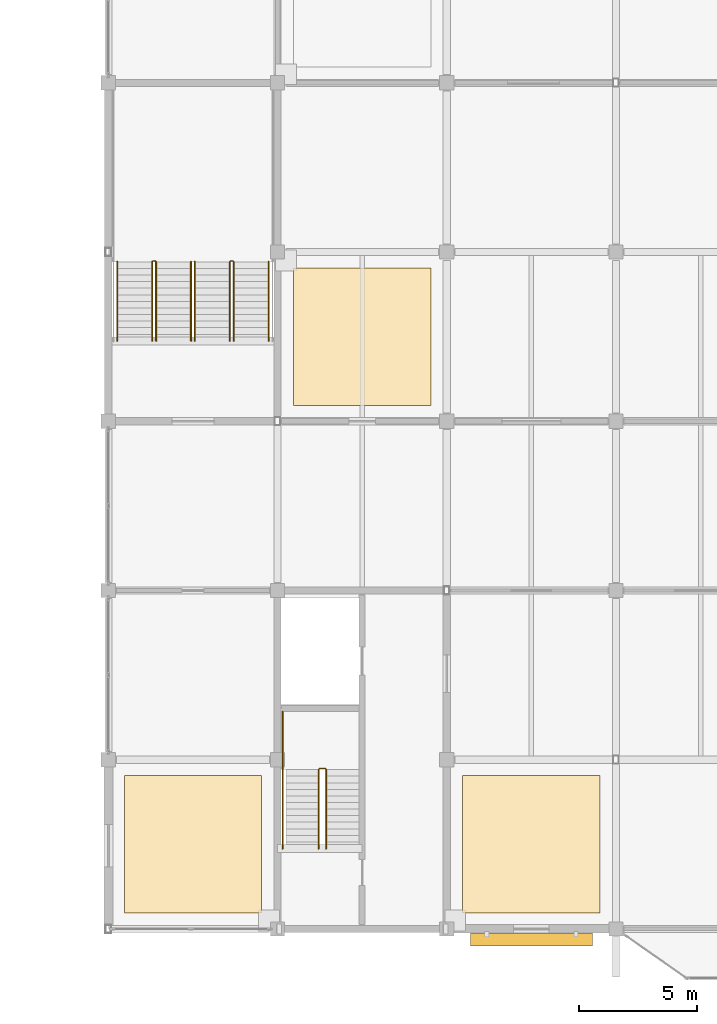
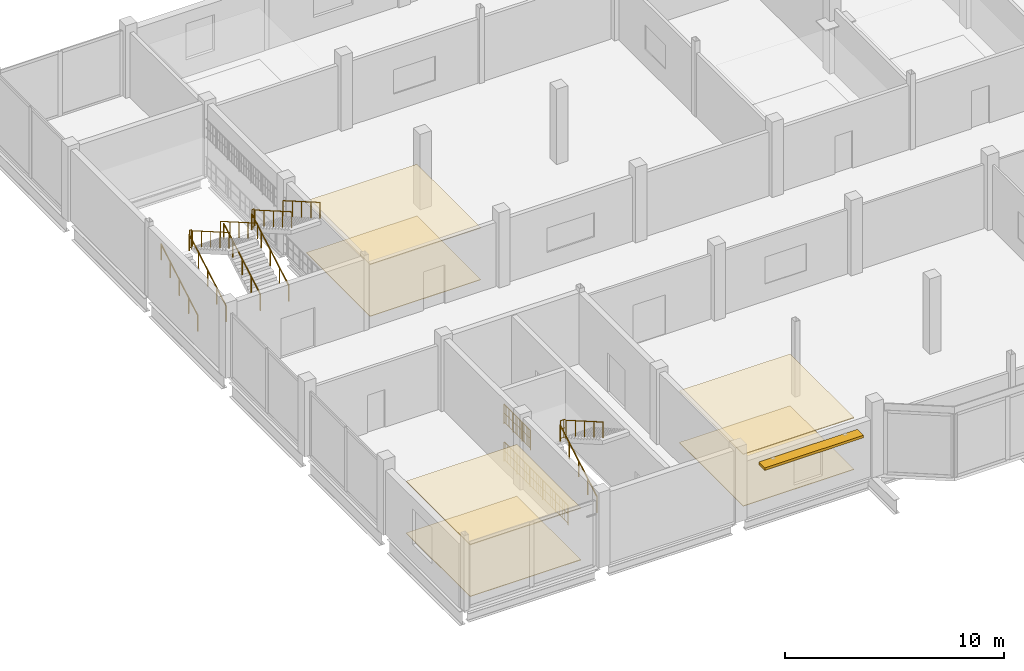
# One storey, part 42 of 51: 15 railings, 6 coverings, 1 shading device.
"""IFC4 building model written with IfcOpenShell, lengths in metres."""

from ifc_helpers import new_model, si_unit, direction, frame, origin, origin_2d, place, context, subcontext, project, spatial, polyline, rectangle, circle, outline, extrude, material, layer, layer_set, type_object, element, save


model = new_model("IFC4")

# Units and contexts
model_context = context("Model", 3, precision=1e-05, world=origin(), true_north=direction((0.0, 1.0)))
body_context = subcontext(model_context, "Body", "Model", "MODEL_VIEW")
ifc_project = project(units=[si_unit("LENGTHUNIT", "METRE"), si_unit("AREAUNIT", "SQUARE_METRE"), si_unit("VOLUMEUNIT", "CUBIC_METRE"), si_unit("PLANEANGLEUNIT", "RADIAN"), si_unit("MASSUNIT", "GRAM", prefix="KILO")], contexts=[model_context])

# Site, building, storey
site_placement = place(None, origin())
site = spatial("IfcSite", under=ifc_project, at=site_placement, CompositionType="ELEMENT")
building_placement = place(site_placement, origin())
building = spatial("IfcBuilding", under=site, at=building_placement, Name="Vesperath Aquatics Centre", CompositionType="ELEMENT")
storey_placement = place(building_placement, frame((0.0, 0.0, 15.0)))
storey = spatial("IfcBuildingStorey", under=building, at=storey_placement, Name="L03", CompositionType="ELEMENT", Elevation=15.0)

# Coverings
ifc_material_1 = material(Name="Perforated moisture-resistant acoustic mineral-fibre ceiling", Category="gypsum")
ifc_layer_1 = layer(ifc_material_1, 0.044921875)
ifc_layer_set_1 = layer_set([ifc_layer_1], Name="Perforated moisture-resistant acoustic mineral-fibre ceiling")
covering_type_1 = type_object("IfcCoveringType", Name="CV-CLG01", PredefinedType="CEILING", material=ifc_layer_set_1)
covering_1_placement = place(storey_placement, frame((0.0, 0.0, 2.875)))
element("IfcCovering", 1, at=covering_1_placement, inside=storey, type_object=covering_type_1, Name="Acoustic Suspended Ceiling CLG1 L03_AEROBIC", PredefinedType="CEILING", context=body_context, shape_type="SweptSolid", body=[
    extrude(outline(polyline([(115.8798828125, 0.679931640625), (121.719970703125, 0.679931640625), (121.719970703125, 6.52001953125), (115.8798828125, 6.52001953125), (115.8798828125, 0.679931640625)])), origin(), (0.0, 0.0, 1.0), 0.044921875),
])
covering_2_placement = place(storey_placement, frame((0.0, 0.0, 2.875)))
element("IfcCovering", 2, at=covering_2_placement, inside=storey, type_object=covering_type_1, Name="Acoustic Suspended Ceiling CLG1 L03_YOGA", PredefinedType="CEILING", context=body_context, shape_type="SweptSolid", body=[
    extrude(outline(polyline([(130.280029296875, 0.679931640625), (136.1201171875, 0.679931640625), (136.1201171875, 6.52001953125), (130.280029296875, 6.52001953125), (130.280029296875, 0.679931640625)])), origin(), (0.0, 0.0, 1.0), 0.044921875),
])
covering_3_placement = place(storey_placement, frame((0.0, 0.0, 2.875)))
element("IfcCovering", 3, at=covering_3_placement, inside=storey, type_object=covering_type_1, Name="Acoustic Suspended Ceiling CLG1 L03_BIOMECH", PredefinedType="CEILING", context=body_context, shape_type="SweptSolid", body=[
    extrude(outline(polyline([(123.080078125, 22.280029296875), (128.919921875, 22.280029296875), (128.919921875, 28.1201171875), (123.080078125, 28.1201171875), (123.080078125, 22.280029296875)])), origin(), (0.0, 0.0, 1.0), 0.044921875),
])
ifc_material_2 = material(Name="Slip-resistant vitrified ceramic and terrazzo flooring", Category="ceramic")
ifc_layer_2 = layer(ifc_material_2, 0.030029296875)
ifc_layer_set_2 = layer_set([ifc_layer_2], Name="Slip-resistant vitrified ceramic and terrazzo flooring")
covering_type_2 = type_object("IfcCoveringType", Name="CV-FLR01", PredefinedType="FLOORING", material=ifc_layer_set_2)
covering_4_placement = place(storey_placement, origin())
element("IfcCovering", 4, at=covering_4_placement, inside=storey, type_object=covering_type_2, Name="Slip-Resistant Floor Finish FLR1 L03_AEROBIC", PredefinedType="FLOORING", context=body_context, shape_type="SweptSolid", body=[
    extrude(outline(polyline([(115.8798828125, 0.679931640625), (121.719970703125, 0.679931640625), (121.719970703125, 6.52001953125), (115.8798828125, 6.52001953125), (115.8798828125, 0.679931640625)])), origin(), (0.0, 0.0, 1.0), 0.030029296875),
])
covering_5_placement = place(storey_placement, origin())
element("IfcCovering", 5, at=covering_5_placement, inside=storey, type_object=covering_type_2, Name="Slip-Resistant Floor Finish FLR1 L03_YOGA", PredefinedType="FLOORING", context=body_context, shape_type="SweptSolid", body=[
    extrude(outline(polyline([(130.280029296875, 0.679931640625), (136.1201171875, 0.679931640625), (136.1201171875, 6.52001953125), (130.280029296875, 6.52001953125), (130.280029296875, 0.679931640625)])), origin(), (0.0, 0.0, 1.0), 0.030029296875),
])
covering_6_placement = place(storey_placement, origin())
element("IfcCovering", 6, at=covering_6_placement, inside=storey, type_object=covering_type_2, Name="Slip-Resistant Floor Finish FLR1 L03_BIOMECH", PredefinedType="FLOORING", context=body_context, shape_type="SweptSolid", body=[
    extrude(outline(polyline([(123.080078125, 22.280029296875), (128.919921875, 22.280029296875), (128.919921875, 28.1201171875), (123.080078125, 28.1201171875), (123.080078125, 22.280029296875)])), origin(), (0.0, 0.0, 1.0), 0.030029296875),
])

# Railings
ifc_material_3 = material(Name="Powder-coated galvanized steel safety guard", Category="steel")
railing_type_1 = type_object("IfcRailingType", Name="RL-GRD01", PredefinedType="GUARDRAIL", material=ifc_material_3)
railing_1_placement = place(storey_placement, frame((124.179931640625, 6.820068359375, 2.10009765625)))
element("IfcRailing", 7, at=railing_1_placement, inside=storey, type_object=railing_type_1, Name="Stair ST5 Half-Landing Slot Guard GR02 L03", PredefinedType="GUARDRAIL", context=body_context, shape_type="SweptSolid", body=[
    extrude(circle(Radius=0.02392578125, at=origin_2d()), frame((0.0, 0.0, 1.0859375), z_axis=(1.0, 0.0, 0.0), x_axis=(0.0, 1.0, 0.0)), (0.0, 0.0, 1.0), 0.260009765625),
    extrude(circle(Radius=0.01611328125, at=origin_2d()), frame((0.0, 0.0, 0.10009765625), z_axis=(1.0, 0.0, 0.0), x_axis=(0.0, 1.0, 0.0)), (0.0, 0.0, 1.0), 0.260009765625),
    extrude(circle(Radius=0.01611328125, at=origin_2d()), frame((0.0, 0.0, 0.610595703125), z_axis=(1.0, 0.0, 0.0), x_axis=(0.0, 1.0, 0.0)), (0.0, 0.0, 1.0), 0.260009765625),
    extrude(circle(Radius=0.009033203125, at=origin_2d()), frame((0.086669921875, 0.0, 0.10009765625)), (0.0, 0.0, 1.0), 0.9619140625),
    extrude(circle(Radius=0.009033203125, at=origin_2d()), frame((0.17333984375, 0.0, 0.10009765625)), (0.0, 0.0, 1.0), 0.9619140625),
    extrude(circle(Radius=0.02197265625, at=origin_2d()), origin(), (0.0, 0.0, 1.0), 1.0859375),
    extrude(circle(Radius=0.02197265625, at=origin_2d()), frame((0.260009765625, 0.0, 0.0)), (0.0, 0.0, 1.0), 1.0859375),
])
railing_2_placement = place(storey_placement, frame((122.6201171875, 6.820068359375, 2.10009765625)))
element("IfcRailing", 8, at=railing_2_placement, inside=storey, type_object=railing_type_1, Name="Stair ST5 Half-Landing Wall Guard GR02 L03", PredefinedType="GUARDRAIL", context=body_context, shape_type="SweptSolid", body=[
    extrude(circle(Radius=0.02392578125, at=origin_2d()), frame((0.0, 0.0, 1.0859375), z_axis=(0.0, 1.0, 0.0), x_axis=(-1.0, 0.0, 0.0)), (0.0, 0.0, 1.0), 2.43994140625),
    extrude(circle(Radius=0.01611328125, at=origin_2d()), frame((0.0, 0.0, 0.10009765625), z_axis=(0.0, 1.0, 0.0), x_axis=(-1.0, 0.0, 0.0)), (0.0, 0.0, 1.0), 2.43994140625),
    extrude(circle(Radius=0.01611328125, at=origin_2d()), frame((0.0, 0.0, 0.610595703125), z_axis=(0.0, 1.0, 0.0), x_axis=(-1.0, 0.0, 0.0)), (0.0, 0.0, 1.0), 2.43994140625),
    extrude(circle(Radius=0.009033203125, at=origin_2d()), frame((0.0, 0.106201171875, 0.10009765625)), (0.0, 0.0, 1.0), 0.9619140625),
    extrude(circle(Radius=0.009033203125, at=origin_2d()), frame((0.0, 0.212158203125, 0.10009765625)), (0.0, 0.0, 1.0), 0.9619140625),
    extrude(circle(Radius=0.009033203125, at=origin_2d()), frame((0.0, 0.318359375, 0.10009765625)), (0.0, 0.0, 1.0), 0.9619140625),
    extrude(circle(Radius=0.009033203125, at=origin_2d()), frame((0.0, 0.42431640625, 0.10009765625)), (0.0, 0.0, 1.0), 0.9619140625),
    extrude(circle(Radius=0.009033203125, at=origin_2d()), frame((0.0, 0.530517578125, 0.10009765625)), (0.0, 0.0, 1.0), 0.9619140625),
    extrude(circle(Radius=0.009033203125, at=origin_2d()), frame((0.0, 0.636474609375, 0.10009765625)), (0.0, 0.0, 1.0), 0.9619140625),
    extrude(circle(Radius=0.009033203125, at=origin_2d()), frame((0.0, 0.74267578125, 0.10009765625)), (0.0, 0.0, 1.0), 0.9619140625),
    extrude(circle(Radius=0.009033203125, at=origin_2d()), frame((0.0, 0.8486328125, 0.10009765625)), (0.0, 0.0, 1.0), 0.9619140625),
    extrude(circle(Radius=0.009033203125, at=origin_2d()), frame((0.0, 0.954833984375, 0.10009765625)), (0.0, 0.0, 1.0), 0.9619140625),
    extrude(circle(Radius=0.009033203125, at=origin_2d()), frame((0.0, 1.060791015625, 0.10009765625)), (0.0, 0.0, 1.0), 0.9619140625),
    extrude(circle(Radius=0.009033203125, at=origin_2d()), frame((0.0, 1.1669921875, 0.10009765625)), (0.0, 0.0, 1.0), 0.9619140625),
    extrude(circle(Radius=0.009033203125, at=origin_2d()), frame((0.0, 1.27294921875, 0.10009765625)), (0.0, 0.0, 1.0), 0.9619140625),
    extrude(circle(Radius=0.009033203125, at=origin_2d()), frame((0.0, 1.379150390625, 0.10009765625)), (0.0, 0.0, 1.0), 0.9619140625),
    extrude(circle(Radius=0.009033203125, at=origin_2d()), frame((0.0, 1.485107421875, 0.10009765625)), (0.0, 0.0, 1.0), 0.9619140625),
    extrude(circle(Radius=0.009033203125, at=origin_2d()), frame((0.0, 1.59130859375, 0.10009765625)), (0.0, 0.0, 1.0), 0.9619140625),
    extrude(circle(Radius=0.009033203125, at=origin_2d()), frame((0.0, 1.697265625, 0.10009765625)), (0.0, 0.0, 1.0), 0.9619140625),
    extrude(circle(Radius=0.009033203125, at=origin_2d()), frame((0.0, 1.803466796875, 0.10009765625)), (0.0, 0.0, 1.0), 0.9619140625),
    extrude(circle(Radius=0.009033203125, at=origin_2d()), frame((0.0, 1.909423828125, 0.10009765625)), (0.0, 0.0, 1.0), 0.9619140625),
    extrude(circle(Radius=0.009033203125, at=origin_2d()), frame((0.0, 2.015625, 0.10009765625)), (0.0, 0.0, 1.0), 0.9619140625),
    extrude(circle(Radius=0.009033203125, at=origin_2d()), frame((0.0, 2.12158203125, 0.10009765625)), (0.0, 0.0, 1.0), 0.9619140625),
    extrude(circle(Radius=0.009033203125, at=origin_2d()), frame((0.0, 2.227783203125, 0.10009765625)), (0.0, 0.0, 1.0), 0.9619140625),
    extrude(circle(Radius=0.009033203125, at=origin_2d()), frame((0.0, 2.333740234375, 0.10009765625)), (0.0, 0.0, 1.0), 0.9619140625),
    extrude(circle(Radius=0.02197265625, at=origin_2d()), origin(), (0.0, 0.0, 1.0), 1.0859375),
    extrude(circle(Radius=0.02197265625, at=origin_2d()), frame((0.0, 0.813232421875, 0.0)), (0.0, 0.0, 1.0), 1.0859375),
    extrude(circle(Radius=0.02197265625, at=origin_2d()), frame((0.0, 1.626708984375, 0.0)), (0.0, 0.0, 1.0), 1.0859375),
    extrude(circle(Radius=0.02197265625, at=origin_2d()), frame((0.0, 2.43994140625, 0.0)), (0.0, 0.0, 1.0), 1.0859375),
])
railing_3_placement = place(storey_placement, frame((122.6201171875, 3.39990234375, 0.0)))
element("IfcRailing", 9, at=railing_3_placement, inside=storey, type_object=railing_type_1, Name="Stair ST5 Shaft Side Guard GR02 L03", PredefinedType="GUARDRAIL", context=body_context, shape_type="SweptSolid", body=[
    extrude(circle(Radius=0.02392578125, at=origin_2d()), frame((0.0, 0.0, 1.0859375), z_axis=(0.0, 1.0, 0.0), x_axis=(-1.0, 0.0, 0.0)), (0.0, 0.0, 1.0), 5.840087890625),
    extrude(circle(Radius=0.01611328125, at=origin_2d()), frame((0.0, 0.0, 0.10009765625), z_axis=(0.0, 1.0, 0.0), x_axis=(-1.0, 0.0, 0.0)), (0.0, 0.0, 1.0), 5.840087890625),
    extrude(circle(Radius=0.01611328125, at=origin_2d()), frame((0.0, 0.0, 0.610595703125), z_axis=(0.0, 1.0, 0.0), x_axis=(-1.0, 0.0, 0.0)), (0.0, 0.0, 1.0), 5.840087890625),
    extrude(circle(Radius=0.009033203125, at=origin_2d()), frame((0.0, 0.108154296875, 0.10009765625)), (0.0, 0.0, 1.0), 0.9619140625),
    extrude(circle(Radius=0.009033203125, at=origin_2d()), frame((0.0, 0.324462890625, 0.10009765625)), (0.0, 0.0, 1.0), 0.9619140625),
    extrude(circle(Radius=0.009033203125, at=origin_2d()), frame((0.0, 0.540771484375, 0.10009765625)), (0.0, 0.0, 1.0), 0.9619140625),
    extrude(circle(Radius=0.009033203125, at=origin_2d()), frame((0.0, 0.757080078125, 0.10009765625)), (0.0, 0.0, 1.0), 0.9619140625),
    extrude(circle(Radius=0.009033203125, at=origin_2d()), frame((0.0, 0.973388671875, 0.10009765625)), (0.0, 0.0, 1.0), 0.9619140625),
    extrude(circle(Radius=0.009033203125, at=origin_2d()), frame((0.0, 1.189697265625, 0.10009765625)), (0.0, 0.0, 1.0), 0.9619140625),
    extrude(circle(Radius=0.009033203125, at=origin_2d()), frame((0.0, 1.406005859375, 0.10009765625)), (0.0, 0.0, 1.0), 0.9619140625),
    extrude(circle(Radius=0.009033203125, at=origin_2d()), frame((0.0, 1.622314453125, 0.10009765625)), (0.0, 0.0, 1.0), 0.9619140625),
    extrude(circle(Radius=0.009033203125, at=origin_2d()), frame((0.0, 1.838623046875, 0.10009765625)), (0.0, 0.0, 1.0), 0.9619140625),
    extrude(circle(Radius=0.009033203125, at=origin_2d()), frame((0.0, 2.054931640625, 0.10009765625)), (0.0, 0.0, 1.0), 0.9619140625),
    extrude(circle(Radius=0.009033203125, at=origin_2d()), frame((0.0, 2.271240234375, 0.10009765625)), (0.0, 0.0, 1.0), 0.9619140625),
    extrude(circle(Radius=0.009033203125, at=origin_2d()), frame((0.0, 2.487548828125, 0.10009765625)), (0.0, 0.0, 1.0), 0.9619140625),
    extrude(circle(Radius=0.009033203125, at=origin_2d()), frame((0.0, 2.703857421875, 0.10009765625)), (0.0, 0.0, 1.0), 0.9619140625),
    extrude(circle(Radius=0.009033203125, at=origin_2d()), frame((0.0, 2.919921875, 0.10009765625)), (0.0, 0.0, 1.0), 0.9619140625),
    extrude(circle(Radius=0.009033203125, at=origin_2d()), frame((0.0, 3.13623046875, 0.10009765625)), (0.0, 0.0, 1.0), 0.9619140625),
    extrude(circle(Radius=0.009033203125, at=origin_2d()), frame((0.0, 3.3525390625, 0.10009765625)), (0.0, 0.0, 1.0), 0.9619140625),
    extrude(circle(Radius=0.009033203125, at=origin_2d()), frame((0.0, 3.56884765625, 0.10009765625)), (0.0, 0.0, 1.0), 0.9619140625),
    extrude(circle(Radius=0.009033203125, at=origin_2d()), frame((0.0, 3.78515625, 0.10009765625)), (0.0, 0.0, 1.0), 0.9619140625),
    extrude(circle(Radius=0.009033203125, at=origin_2d()), frame((0.0, 4.00146484375, 0.10009765625)), (0.0, 0.0, 1.0), 0.9619140625),
    extrude(circle(Radius=0.009033203125, at=origin_2d()), frame((0.0, 4.2177734375, 0.10009765625)), (0.0, 0.0, 1.0), 0.9619140625),
    extrude(circle(Radius=0.009033203125, at=origin_2d()), frame((0.0, 4.43408203125, 0.10009765625)), (0.0, 0.0, 1.0), 0.9619140625),
    extrude(circle(Radius=0.009033203125, at=origin_2d()), frame((0.0, 4.650390625, 0.10009765625)), (0.0, 0.0, 1.0), 0.9619140625),
    extrude(circle(Radius=0.009033203125, at=origin_2d()), frame((0.0, 4.86669921875, 0.10009765625)), (0.0, 0.0, 1.0), 0.9619140625),
    extrude(circle(Radius=0.009033203125, at=origin_2d()), frame((0.0, 5.0830078125, 0.10009765625)), (0.0, 0.0, 1.0), 0.9619140625),
    extrude(circle(Radius=0.009033203125, at=origin_2d()), frame((0.0, 5.29931640625, 0.10009765625)), (0.0, 0.0, 1.0), 0.9619140625),
    extrude(circle(Radius=0.009033203125, at=origin_2d()), frame((0.0, 5.515625, 0.10009765625)), (0.0, 0.0, 1.0), 0.9619140625),
    extrude(circle(Radius=0.009033203125, at=origin_2d()), frame((0.0, 5.73193359375, 0.10009765625)), (0.0, 0.0, 1.0), 0.9619140625),
    extrude(circle(Radius=0.02197265625, at=origin_2d()), origin(), (0.0, 0.0, 1.0), 1.0859375),
    extrude(circle(Radius=0.02197265625, at=origin_2d()), frame((0.0, 1.16796875, 0.0)), (0.0, 0.0, 1.0), 1.0859375),
    extrude(circle(Radius=0.02197265625, at=origin_2d()), frame((0.0, 2.3359375, 0.0)), (0.0, 0.0, 1.0), 1.0859375),
    extrude(circle(Radius=0.02197265625, at=origin_2d()), frame((0.0, 3.504150390625, 0.0)), (0.0, 0.0, 1.0), 1.0859375),
    extrude(circle(Radius=0.02197265625, at=origin_2d()), frame((0.0, 4.672119140625, 0.0)), (0.0, 0.0, 1.0), 1.0859375),
    extrude(circle(Radius=0.02197265625, at=origin_2d()), frame((0.0, 5.840087890625, 0.0)), (0.0, 0.0, 1.0), 1.0859375),
])
railing_4_placement = place(storey_placement, frame((117.10009765625, 28.419921875, 2.10009765625)))
element("IfcRailing", 10, at=railing_4_placement, inside=storey, type_object=railing_type_1, Name="Stair ST7A Half-Landing Slot Guard GR02 L03", PredefinedType="GUARDRAIL", context=body_context, shape_type="SweptSolid", body=[
    extrude(circle(Radius=0.02392578125, at=origin_2d()), frame((0.0, 0.0, 1.0859375), z_axis=(1.0, 0.0, 0.0), x_axis=(0.0, 1.0, 0.0)), (0.0, 0.0, 1.0), 0.099853515625),
    extrude(circle(Radius=0.01611328125, at=origin_2d()), frame((0.0, 0.0, 0.10009765625), z_axis=(1.0, 0.0, 0.0), x_axis=(0.0, 1.0, 0.0)), (0.0, 0.0, 1.0), 0.099853515625),
    extrude(circle(Radius=0.01611328125, at=origin_2d()), frame((0.0, 0.0, 0.610595703125), z_axis=(1.0, 0.0, 0.0), x_axis=(0.0, 1.0, 0.0)), (0.0, 0.0, 1.0), 0.099853515625),
    extrude(circle(Radius=0.009033203125, at=origin_2d()), frame((0.0498046875, 0.0, 0.10009765625)), (0.0, 0.0, 1.0), 0.9619140625),
    extrude(circle(Radius=0.02197265625, at=origin_2d()), origin(), (0.0, 0.0, 1.0), 1.0859375),
    extrude(circle(Radius=0.02197265625, at=origin_2d()), frame((0.099853515625, 0.0, 0.0)), (0.0, 0.0, 1.0), 1.0859375),
])
railing_5_placement = place(storey_placement, frame((120.39990234375, 28.419921875, 2.10009765625)))
element("IfcRailing", 11, at=railing_5_placement, inside=storey, type_object=railing_type_1, Name="Stair ST7B Half-Landing Slot Guard GR02 L03", PredefinedType="GUARDRAIL", context=body_context, shape_type="SweptSolid", body=[
    extrude(circle(Radius=0.02392578125, at=origin_2d()), frame((0.0, 0.0, 1.0859375), z_axis=(1.0, 0.0, 0.0), x_axis=(0.0, 1.0, 0.0)), (0.0, 0.0, 1.0), 0.10009765625),
    extrude(circle(Radius=0.01611328125, at=origin_2d()), frame((0.0, 0.0, 0.10009765625), z_axis=(1.0, 0.0, 0.0), x_axis=(0.0, 1.0, 0.0)), (0.0, 0.0, 1.0), 0.10009765625),
    extrude(circle(Radius=0.01611328125, at=origin_2d()), frame((0.0, 0.0, 0.610595703125), z_axis=(1.0, 0.0, 0.0), x_axis=(0.0, 1.0, 0.0)), (0.0, 0.0, 1.0), 0.10009765625),
    extrude(circle(Radius=0.009033203125, at=origin_2d()), frame((0.050048828125, 0.0, 0.10009765625)), (0.0, 0.0, 1.0), 0.9619140625),
    extrude(circle(Radius=0.02197265625, at=origin_2d()), origin(), (0.0, 0.0, 1.0), 1.0859375),
    extrude(circle(Radius=0.02197265625, at=origin_2d()), frame((0.10009765625, 0.0, 0.0)), (0.0, 0.0, 1.0), 1.0859375),
])
ifc_material_4 = material(Name="Brushed stainless steel tubular handrail", Category="steel")
railing_type_2 = type_object("IfcRailingType", Name="RL-HND01", PredefinedType="HANDRAIL", material=ifc_material_4)
railing_6_placement = place(storey_placement, frame((124.14990234375, 3.419921875, 0.16162109375)))
element("IfcRailing", 12, at=railing_6_placement, inside=storey, type_object=railing_type_2, Name="Stair ST5 Flight 1 Handrail HR01 L03", PredefinedType="HANDRAIL", context=body_context, shape_type="SweptSolid", body=[
    extrude(circle(Radius=0.02392578125, at=origin_2d()), frame((0.0, 0.0, 0.8759765625), z_axis=(0.0, 0.866190824863, 0.499713372768), x_axis=(-1.0, 0.0, 0.0)), (0.0, 0.0, 1.0), 3.879150390625),
    extrude(circle(Radius=0.02197265625, at=origin_2d()), origin(), (0.0, 0.0, 1.0), 0.8759765625),
    extrude(circle(Radius=0.02197265625, at=origin_2d()), frame((0.0, 0.840087890625, 0.484619140625)), (0.0, 0.0, 1.0), 0.8759765625),
    extrude(circle(Radius=0.02197265625, at=origin_2d()), frame((0.0, 1.68017578125, 0.96923828125)), (0.0, 0.0, 1.0), 0.8759765625),
    extrude(circle(Radius=0.02197265625, at=origin_2d()), frame((0.0, 2.52001953125, 1.453857421875)), (0.0, 0.0, 1.0), 0.8759765625),
    extrude(circle(Radius=0.02197265625, at=origin_2d()), frame((0.0, 3.360107421875, 1.9384765625)), (0.0, 0.0, 1.0), 0.8759765625),
])
railing_7_placement = place(storey_placement, frame((124.469970703125, 6.780029296875, 2.261474609375)))
element("IfcRailing", 13, at=railing_7_placement, inside=storey, type_object=railing_type_2, Name="Stair ST5 Flight 2 Handrail HR01 L03", PredefinedType="HANDRAIL", context=body_context, shape_type="SweptSolid", body=[
    extrude(circle(Radius=0.02392578125, at=origin_2d()), frame((0.0, 0.0, 0.8759765625), z_axis=(0.0, -0.866190824863, 0.499713372768), x_axis=(1.0, 0.0, 0.0)), (0.0, 0.0, 1.0), 3.879150390625),
    extrude(circle(Radius=0.02197265625, at=origin_2d()), origin(), (0.0, 0.0, 1.0), 0.8759765625),
    extrude(circle(Radius=0.02197265625, at=origin_2d()), frame((0.0, -0.840087890625, 0.484619140625)), (0.0, 0.0, 1.0), 0.8759765625),
    extrude(circle(Radius=0.02197265625, at=origin_2d()), frame((0.0, -1.68017578125, 0.96923828125)), (0.0, 0.0, 1.0), 0.8759765625),
    extrude(circle(Radius=0.02197265625, at=origin_2d()), frame((0.0, -2.52001953125, 1.453857421875)), (0.0, 0.0, 1.0), 0.8759765625),
    extrude(circle(Radius=0.02197265625, at=origin_2d()), frame((0.0, -3.360107421875, 1.9384765625)), (0.0, 0.0, 1.0), 0.8759765625),
])
railing_8_placement = place(storey_placement, frame((117.070068359375, 25.02001953125, 0.16162109375)))
element("IfcRailing", 14, at=railing_8_placement, inside=storey, type_object=railing_type_2, Name="Stair ST7A Flight 1 Handrail HR01 L03", PredefinedType="HANDRAIL", context=body_context, shape_type="SweptSolid", body=[
    extrude(circle(Radius=0.02392578125, at=origin_2d()), frame((0.0, 0.0, 0.8759765625), z_axis=(0.0, 0.866175107563, 0.499740615757), x_axis=(-1.0, 0.0, 0.0)), (0.0, 0.0, 1.0), 3.87890625),
    extrude(circle(Radius=0.02197265625, at=origin_2d()), origin(), (0.0, 0.0, 1.0), 0.8759765625),
    extrude(circle(Radius=0.02197265625, at=origin_2d()), frame((0.0, 0.83984375, 0.484619140625)), (0.0, 0.0, 1.0), 0.8759765625),
    extrude(circle(Radius=0.02197265625, at=origin_2d()), frame((0.0, 1.679931640625, 0.96923828125)), (0.0, 0.0, 1.0), 0.8759765625),
    extrude(circle(Radius=0.02197265625, at=origin_2d()), frame((0.0, 2.52001953125, 1.453857421875)), (0.0, 0.0, 1.0), 0.8759765625),
    extrude(circle(Radius=0.02197265625, at=origin_2d()), frame((0.0, 3.35986328125, 1.9384765625)), (0.0, 0.0, 1.0), 0.8759765625),
])
railing_9_placement = place(storey_placement, frame((117.22998046875, 28.3798828125, 2.261474609375)))
element("IfcRailing", 15, at=railing_9_placement, inside=storey, type_object=railing_type_2, Name="Stair ST7A Flight 2 Handrail HR01 L03", PredefinedType="HANDRAIL", context=body_context, shape_type="SweptSolid", body=[
    extrude(circle(Radius=0.02392578125, at=origin_2d()), frame((0.0, 0.0, 0.8759765625), z_axis=(0.0, -0.866175107563, 0.499740615757), x_axis=(1.0, 0.0, 0.0)), (0.0, 0.0, 1.0), 3.87890625),
    extrude(circle(Radius=0.02197265625, at=origin_2d()), origin(), (0.0, 0.0, 1.0), 0.8759765625),
    extrude(circle(Radius=0.02197265625, at=origin_2d()), frame((0.0, -0.83984375, 0.484619140625)), (0.0, 0.0, 1.0), 0.8759765625),
    extrude(circle(Radius=0.02197265625, at=origin_2d()), frame((0.0, -1.679931640625, 0.96923828125)), (0.0, 0.0, 1.0), 0.8759765625),
    extrude(circle(Radius=0.02197265625, at=origin_2d()), frame((0.0, -2.52001953125, 1.453857421875)), (0.0, 0.0, 1.0), 0.8759765625),
    extrude(circle(Radius=0.02197265625, at=origin_2d()), frame((0.0, -3.35986328125, 1.9384765625)), (0.0, 0.0, 1.0), 0.8759765625),
])
railing_10_placement = place(storey_placement, frame((115.580078125, 25.02001953125, 0.16162109375)))
element("IfcRailing", 16, at=railing_10_placement, inside=storey, type_object=railing_type_2, Name="Stair ST7A Flight 1 Handrail HR01 L03", PredefinedType="HANDRAIL", context=body_context, shape_type="SweptSolid", body=[
    extrude(circle(Radius=0.02392578125, at=origin_2d()), frame((0.0, 0.0, 0.8759765625), z_axis=(0.0, 0.866175107563, 0.499740615757), x_axis=(-1.0, 0.0, 0.0)), (0.0, 0.0, 1.0), 3.87890625),
    extrude(circle(Radius=0.02197265625, at=origin_2d()), origin(), (0.0, 0.0, 1.0), 0.8759765625),
    extrude(circle(Radius=0.02197265625, at=origin_2d()), frame((0.0, 0.83984375, 0.484619140625)), (0.0, 0.0, 1.0), 0.8759765625),
    extrude(circle(Radius=0.02197265625, at=origin_2d()), frame((0.0, 1.679931640625, 0.96923828125)), (0.0, 0.0, 1.0), 0.8759765625),
    extrude(circle(Radius=0.02197265625, at=origin_2d()), frame((0.0, 2.52001953125, 1.453857421875)), (0.0, 0.0, 1.0), 0.8759765625),
    extrude(circle(Radius=0.02197265625, at=origin_2d()), frame((0.0, 3.35986328125, 1.9384765625)), (0.0, 0.0, 1.0), 0.8759765625),
])
railing_11_placement = place(storey_placement, frame((118.719970703125, 28.3798828125, 2.261474609375)))
element("IfcRailing", 17, at=railing_11_placement, inside=storey, type_object=railing_type_2, Name="Stair ST7A Flight 2 Handrail HR01 L03", PredefinedType="HANDRAIL", context=body_context, shape_type="SweptSolid", body=[
    extrude(circle(Radius=0.02392578125, at=origin_2d()), frame((0.0, 0.0, 0.8759765625), z_axis=(0.0, -0.866175107563, 0.499740615757), x_axis=(1.0, 0.0, 0.0)), (0.0, 0.0, 1.0), 3.87890625),
    extrude(circle(Radius=0.02197265625, at=origin_2d()), origin(), (0.0, 0.0, 1.0), 0.8759765625),
    extrude(circle(Radius=0.02197265625, at=origin_2d()), frame((0.0, -0.83984375, 0.484619140625)), (0.0, 0.0, 1.0), 0.8759765625),
    extrude(circle(Radius=0.02197265625, at=origin_2d()), frame((0.0, -1.679931640625, 0.96923828125)), (0.0, 0.0, 1.0), 0.8759765625),
    extrude(circle(Radius=0.02197265625, at=origin_2d()), frame((0.0, -2.52001953125, 1.453857421875)), (0.0, 0.0, 1.0), 0.8759765625),
    extrude(circle(Radius=0.02197265625, at=origin_2d()), frame((0.0, -3.35986328125, 1.9384765625)), (0.0, 0.0, 1.0), 0.8759765625),
])
railing_12_placement = place(storey_placement, frame((120.3701171875, 25.02001953125, 0.16162109375)))
element("IfcRailing", 18, at=railing_12_placement, inside=storey, type_object=railing_type_2, Name="Stair ST7B Flight 1 Handrail HR01 L03", PredefinedType="HANDRAIL", context=body_context, shape_type="SweptSolid", body=[
    extrude(circle(Radius=0.02392578125, at=origin_2d()), frame((0.0, 0.0, 0.8759765625), z_axis=(0.0, 0.866175107563, 0.499740615757), x_axis=(-1.0, 0.0, 0.0)), (0.0, 0.0, 1.0), 3.87890625),
    extrude(circle(Radius=0.02197265625, at=origin_2d()), origin(), (0.0, 0.0, 1.0), 0.8759765625),
    extrude(circle(Radius=0.02197265625, at=origin_2d()), frame((0.0, 0.83984375, 0.484619140625)), (0.0, 0.0, 1.0), 0.8759765625),
    extrude(circle(Radius=0.02197265625, at=origin_2d()), frame((0.0, 1.679931640625, 0.96923828125)), (0.0, 0.0, 1.0), 0.8759765625),
    extrude(circle(Radius=0.02197265625, at=origin_2d()), frame((0.0, 2.52001953125, 1.453857421875)), (0.0, 0.0, 1.0), 0.8759765625),
    extrude(circle(Radius=0.02197265625, at=origin_2d()), frame((0.0, 3.35986328125, 1.9384765625)), (0.0, 0.0, 1.0), 0.8759765625),
])
railing_13_placement = place(storey_placement, frame((120.530029296875, 28.3798828125, 2.261474609375)))
element("IfcRailing", 19, at=railing_13_placement, inside=storey, type_object=railing_type_2, Name="Stair ST7B Flight 2 Handrail HR01 L03", PredefinedType="HANDRAIL", context=body_context, shape_type="SweptSolid", body=[
    extrude(circle(Radius=0.02392578125, at=origin_2d()), frame((0.0, 0.0, 0.8759765625), z_axis=(0.0, -0.866175107563, 0.499740615757), x_axis=(1.0, 0.0, 0.0)), (0.0, 0.0, 1.0), 3.87890625),
    extrude(circle(Radius=0.02197265625, at=origin_2d()), origin(), (0.0, 0.0, 1.0), 0.8759765625),
    extrude(circle(Radius=0.02197265625, at=origin_2d()), frame((0.0, -0.83984375, 0.484619140625)), (0.0, 0.0, 1.0), 0.8759765625),
    extrude(circle(Radius=0.02197265625, at=origin_2d()), frame((0.0, -1.679931640625, 0.96923828125)), (0.0, 0.0, 1.0), 0.8759765625),
    extrude(circle(Radius=0.02197265625, at=origin_2d()), frame((0.0, -2.52001953125, 1.453857421875)), (0.0, 0.0, 1.0), 0.8759765625),
    extrude(circle(Radius=0.02197265625, at=origin_2d()), frame((0.0, -3.35986328125, 1.9384765625)), (0.0, 0.0, 1.0), 0.8759765625),
])
railing_14_placement = place(storey_placement, frame((118.8798828125, 25.02001953125, 0.16162109375)))
element("IfcRailing", 20, at=railing_14_placement, inside=storey, type_object=railing_type_2, Name="Stair ST7B Flight 1 Handrail HR01 L03", PredefinedType="HANDRAIL", context=body_context, shape_type="SweptSolid", body=[
    extrude(circle(Radius=0.02392578125, at=origin_2d()), frame((0.0, 0.0, 0.8759765625), z_axis=(0.0, 0.866175107563, 0.499740615757), x_axis=(-1.0, 0.0, 0.0)), (0.0, 0.0, 1.0), 3.87890625),
    extrude(circle(Radius=0.02197265625, at=origin_2d()), origin(), (0.0, 0.0, 1.0), 0.8759765625),
    extrude(circle(Radius=0.02197265625, at=origin_2d()), frame((0.0, 0.83984375, 0.484619140625)), (0.0, 0.0, 1.0), 0.8759765625),
    extrude(circle(Radius=0.02197265625, at=origin_2d()), frame((0.0, 1.679931640625, 0.96923828125)), (0.0, 0.0, 1.0), 0.8759765625),
    extrude(circle(Radius=0.02197265625, at=origin_2d()), frame((0.0, 2.52001953125, 1.453857421875)), (0.0, 0.0, 1.0), 0.8759765625),
    extrude(circle(Radius=0.02197265625, at=origin_2d()), frame((0.0, 3.35986328125, 1.9384765625)), (0.0, 0.0, 1.0), 0.8759765625),
])
railing_15_placement = place(storey_placement, frame((122.02001953125, 28.3798828125, 2.261474609375)))
element("IfcRailing", 21, at=railing_15_placement, inside=storey, type_object=railing_type_2, Name="Stair ST7B Flight 2 Handrail HR01 L03", PredefinedType="HANDRAIL", context=body_context, shape_type="SweptSolid", body=[
    extrude(circle(Radius=0.02392578125, at=origin_2d()), frame((0.0, 0.0, 0.8759765625), z_axis=(0.0, -0.866175107563, 0.499740615757), x_axis=(1.0, 0.0, 0.0)), (0.0, 0.0, 1.0), 3.87890625),
    extrude(circle(Radius=0.02197265625, at=origin_2d()), origin(), (0.0, 0.0, 1.0), 0.8759765625),
    extrude(circle(Radius=0.02197265625, at=origin_2d()), frame((0.0, -0.83984375, 0.484619140625)), (0.0, 0.0, 1.0), 0.8759765625),
    extrude(circle(Radius=0.02197265625, at=origin_2d()), frame((0.0, -1.679931640625, 0.96923828125)), (0.0, 0.0, 1.0), 0.8759765625),
    extrude(circle(Radius=0.02197265625, at=origin_2d()), frame((0.0, -2.52001953125, 1.453857421875)), (0.0, 0.0, 1.0), 0.8759765625),
    extrude(circle(Radius=0.02197265625, at=origin_2d()), frame((0.0, -3.35986328125, 1.9384765625)), (0.0, 0.0, 1.0), 0.8759765625),
])

# Shading device
ifc_material_5 = material(Name="Anodised bronze aluminium solar brise-soleil", Category="aluminium")
shading_device_type = type_object("IfcShadingDeviceType", Name="SH-LVR01", PredefinedType="JALOUSIE", material=ifc_material_5)
shading_device_placement = place(storey_placement, frame((133.199951171875, -0.455078125, 2.75), z_axis=(0.0, 0.0, 1.0), x_axis=(1.0, 0.0, 0.0)))
element("IfcShadingDevice", 22, at=shading_device_placement, inside=storey, type_object=shading_device_type, Name="Bronze Solar Brise-Soleil LV01 L03_S_18_00", PredefinedType="JALOUSIE", context=body_context, shape_type="SweptSolid", body=[
    extrude(rectangle(XDim=5.199951171875, YDim=0.550048828125, at=origin_2d()), origin(), (0.0, 0.0, 1.0), 0.139892578125),
])

save(model, "model.ifc")
